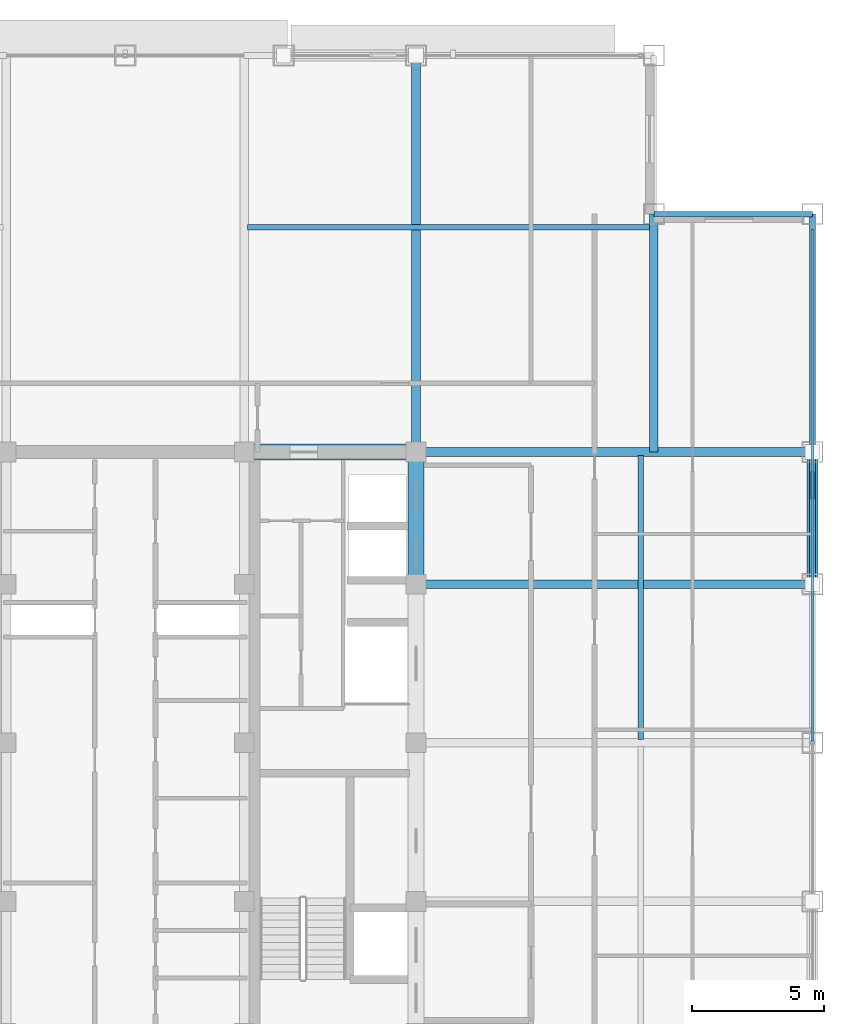
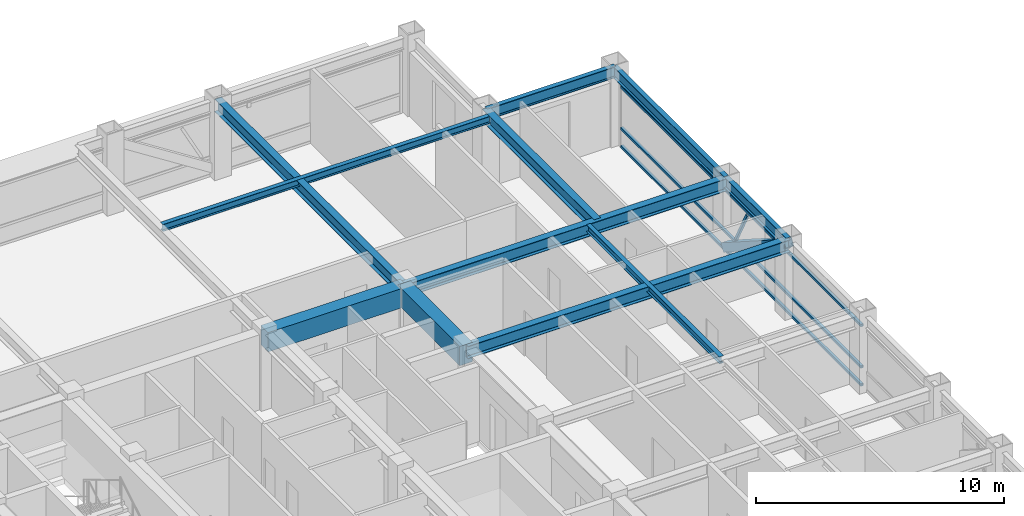
# One storey, part 19 of 32: 11 beams, 5 members, 1 element without a shape of its own.
"""IFC4 building model written with IfcOpenShell, lengths in metres."""

from ifc_helpers import new_model, si_unit, direction, frame, origin, origin_2d, place, context, subcontext, project, spatial, rectangle, hollow_rectangle, i_section, extrude, source, transform, mapped, material, material_profile, profile_set, type_object, element, aggregate, save


model = new_model("IFC4")

# Units and contexts
model_context = context("Model", 3, precision=1e-05, world=origin(), true_north=direction((0.0, 1.0)))
body_context = subcontext(model_context, "Body", "Model", "MODEL_VIEW")
ifc_project = project(units=[si_unit("LENGTHUNIT", "METRE"), si_unit("AREAUNIT", "SQUARE_METRE"), si_unit("VOLUMEUNIT", "CUBIC_METRE"), si_unit("PLANEANGLEUNIT", "RADIAN"), si_unit("MASSUNIT", "GRAM", prefix="KILO")], contexts=[model_context])

# Site, building, storey
site_placement = place(None, origin())
site = spatial("IfcSite", under=ifc_project, at=site_placement, CompositionType="ELEMENT")
building_placement = place(site_placement, origin())
building = spatial("IfcBuilding", under=site, at=building_placement, Name="Khorayat Bourse Tower", CompositionType="ELEMENT")
storey_placement = place(building_placement, frame((0.0, 0.0, 342.300048828125)))
storey = spatial("IfcBuildingStorey", under=building, at=storey_placement, Name="L81", CompositionType="ELEMENT", Elevation=342.300048828125)

# Beams
ifc_material_1 = material(Name="Concrete C60/75", Category="concrete")
ifc_material_profile_1 = material_profile(ifc_material_1, rectangle(XDim=0.60009765625, YDim=0.949951171875, at=origin_2d()), Name="RC 600x950")
ifc_profile_set_1 = profile_set([ifc_material_profile_1], Name="Concrete C60/75")
beam_type_1 = type_object("IfcBeamType", Name="BM-COUP-950", PredefinedType="BEAM", material=ifc_profile_set_1)
shared_shape_1 = source(origin(), body_context, "Body", "SweptSolid", [
    extrude(rectangle(XDim=0.60009765625, YDim=0.949951171875, at=origin_2d()), origin(), (0.0, 0.0, 1.0), 5.0),
])
beam_1_placement = place(storey_placement, frame((11.0, 6.0, 3.224853515625), z_axis=(0.0, 1.0, 0.0), x_axis=(-1.0, 0.0, 0.0)))
element("IfcBeam", 1, at=beam_1_placement, inside=storey, type_object=beam_type_1, Name="L81 BM-COUP-950 BM-L81-CRX-16", PredefinedType="BEAM", context=body_context, shape_type="MappedRepresentation", body=[
    mapped(shared_shape_1, transform((0.0, 0.0, 0.0), scale=1.0)),
])
shared_shape_2 = source(origin(), body_context, "Body", "SweptSolid", [
    extrude(rectangle(XDim=0.60009765625, YDim=0.949951171875, at=origin_2d()), origin(), (0.0, 0.0, 1.0), 6.5),
])
beam_2_placement = place(storey_placement, frame((4.5, 11.0, 3.224853515625), z_axis=(1.0, 0.0, 0.0), x_axis=(0.0, 1.0, 0.0)))
element("IfcBeam", 2, at=beam_2_placement, inside=storey, type_object=beam_type_1, Name="L81 BM-COUP-950 BM-L81-CRY-20", PredefinedType="BEAM", context=body_context, shape_type="MappedRepresentation", body=[
    mapped(shared_shape_2, transform((0.0, 0.0, 0.0), scale=1.0)),
])
ifc_material_2 = material(Name="Steel ASTM A992 Grade 50", Category="steel")
ifc_material_profile_2 = material_profile(ifc_material_2, i_section(OverallWidth=0.202880859375, OverallDepth=0.346923828125, WebThickness=0.0078125, FlangeThickness=0.013427734375, FilletRadius=0.010009765625, at=origin_2d()), Name="W360X64")
ifc_profile_set_2 = profile_set([ifc_material_profile_2], Name="Steel ASTM A992 Grade 50")
beam_type_2 = type_object("IfcBeamType", Name="BM-JOIST-360", PredefinedType="JOIST", material=ifc_profile_set_2)
shared_shape_3 = source(origin(), body_context, "Body", "SweptSolid", [
    extrude(i_section(OverallWidth=0.202880859375, OverallDepth=0.346923828125, WebThickness=0.0078125, FlangeThickness=0.013427734375, FilletRadius=0.010009765625, at=origin_2d()), origin(), (0.0, 0.0, 1.0), 10.740234375),
])
beam_3_placement = place(storey_placement, frame((19.5, 0.1298828125, 3.5263671875), z_axis=(0.0, 1.0, 0.0), x_axis=(-1.0, 0.0, 0.0)))
element("IfcBeam", 3, at=beam_3_placement, inside=storey, type_object=beam_type_2, Name="L81 BM-JOIST-360 BM-L81-JSTY-082", PredefinedType="JOIST", context=body_context, shape_type="MappedRepresentation", body=[
    mapped(shared_shape_3, transform((0.0, 0.0, 0.0), scale=1.0)),
])
ifc_material_profile_3 = material_profile(ifc_material_2, i_section(OverallWidth=0.214111328125, OverallDepth=0.549072265625, WebThickness=0.0146484375, FlangeThickness=0.023681640625, FilletRadius=0.013916015625, at=origin_2d()), Name="W530X138")
ifc_profile_set_3 = profile_set([ifc_material_profile_3], Name="Steel ASTM A992 Grade 50")
beam_type_3 = type_object("IfcBeamType", Name="BM-SPAN-530", PredefinedType="SPANDREL", material=ifc_profile_set_3)
shared_shape_4 = source(origin(), body_context, "Body", "SweptSolid", [
    extrude(i_section(OverallWidth=0.214111328125, OverallDepth=0.549072265625, WebThickness=0.0146484375, FlangeThickness=0.023681640625, FilletRadius=0.013916015625, at=origin_2d()), origin(), (0.0, 0.0, 1.0), 9.0),
])
beam_4_placement = place(storey_placement, frame((26.0, 11.0, 3.425537109375), z_axis=(0.0, 1.0, 0.0), x_axis=(-1.0, 0.0, 0.0)))
element("IfcBeam", 4, at=beam_4_placement, inside=storey, type_object=beam_type_3, Name="L81 BM-SPAN-530 BM-L81-SPN-034", PredefinedType="SPANDREL", context=body_context, shape_type="MappedRepresentation", body=[
    mapped(shared_shape_4, transform((0.0, 0.0, 0.0), scale=1.0)),
])
shared_shape_5 = source(origin(), body_context, "Body", "SweptSolid", [
    extrude(i_section(OverallWidth=0.214111328125, OverallDepth=0.549072265625, WebThickness=0.0146484375, FlangeThickness=0.023681640625, FilletRadius=0.013916015625, at=origin_2d()), origin(), (0.0, 0.0, 1.0), 5.0),
])
beam_5_placement = place(storey_placement, frame((26.0, 6.0, 3.425537109375), z_axis=(0.0, 1.0, 0.0), x_axis=(-1.0, 0.0, 0.0)))
element("IfcBeam", 5, at=beam_5_placement, inside=storey, type_object=beam_type_3, Name="L81 BM-SPAN-530 BM-L81-SPN-033", PredefinedType="SPANDREL", context=body_context, shape_type="MappedRepresentation", body=[
    mapped(shared_shape_5, transform((0.0, 0.0, 0.0), scale=1.0)),
])
shared_shape_6 = source(origin(), body_context, "Body", "SweptSolid", [
    extrude(i_section(OverallWidth=0.214111328125, OverallDepth=0.549072265625, WebThickness=0.0146484375, FlangeThickness=0.023681640625, FilletRadius=0.013916015625, at=origin_2d()), origin(), (0.0, 0.0, 1.0), 6.0),
])
beam_6_placement = place(storey_placement, frame((20.0, 20.0, 3.425537109375), z_axis=(1.0, 0.0, 0.0), x_axis=(0.0, 1.0, 0.0)))
element("IfcBeam", 6, at=beam_6_placement, inside=storey, type_object=beam_type_3, Name="L81 BM-SPAN-530 BM-L81-SPN-035", PredefinedType="SPANDREL", context=body_context, shape_type="MappedRepresentation", body=[
    mapped(shared_shape_6, transform((0.0, 0.0, 0.0), scale=1.0)),
])
ifc_material_profile_4 = material_profile(ifc_material_2, i_section(OverallWidth=0.324951171875, OverallDepth=0.615966796875, WebThickness=0.013916015625, FlangeThickness=0.021484375, FilletRadius=0.01611328125, at=origin_2d()), Name="W610X174")
ifc_profile_set_4 = profile_set([ifc_material_profile_4], Name="Steel ASTM A992 Grade 50")
beam_type_4 = type_object("IfcBeamType", Name="BM-GIRD-610", PredefinedType="BEAM", material=ifc_profile_set_4)
shared_shape_7 = source(origin(), body_context, "Body", "SweptSolid", [
    extrude(i_section(OverallWidth=0.324951171875, OverallDepth=0.615966796875, WebThickness=0.013916015625, FlangeThickness=0.021484375, FilletRadius=0.01611328125, at=origin_2d()), origin(), (0.0, 0.0, 1.0), 15.0),
])
for number, where, z_axis, x_axis, name in (
    (7, (11.0, 11.0, 3.391845703125), (0.0, 1.0, 0.0), (-1.0, 0.0, 0.0), "L81 BM-GIRD-610 BM-L81-RADY-059"),
    (8, (11.0, 6.0, 3.391845703125), (1.0, 0.0, 0.0), (0.0, 1.0, 0.0), "L81 BM-GIRD-610 BM-L81-RADX-067"),
    (9, (11.0, 11.0, 3.391845703125), (1.0, 0.0, 0.0), (0.0, 1.0, 0.0), "L81 BM-GIRD-610 BM-L81-RADX-069"),
):
    element("IfcBeam", number, at=place(storey_placement, frame(where, z_axis=z_axis, x_axis=x_axis)), inside=storey, type_object=beam_type_4, Name=name, PredefinedType="BEAM", context=body_context, shape_type="MappedRepresentation", body=[
        mapped(shared_shape_7, transform((0.0, 0.0, 0.0), scale=1.0)),
    ])
shared_shape_8 = source(origin(), body_context, "Body", "SweptSolid", [
    extrude(i_section(OverallWidth=0.324951171875, OverallDepth=0.615966796875, WebThickness=0.013916015625, FlangeThickness=0.021484375, FilletRadius=0.01611328125, at=origin_2d()), origin(), (0.0, 0.0, 1.0), 9.0),
])
beam_7_placement = place(storey_placement, frame((20.0, 11.0, 3.391845703125), z_axis=(0.0, 1.0, 0.0), x_axis=(-1.0, 0.0, 0.0)))
element("IfcBeam", 10, at=beam_7_placement, inside=storey, type_object=beam_type_4, Name="L81 BM-GIRD-610 BM-L81-CNRY-074", PredefinedType="BEAM", context=body_context, shape_type="MappedRepresentation", body=[
    mapped(shared_shape_8, transform((0.0, 0.0, 0.0), scale=1.0)),
])
shared_shape_9 = source(origin(), body_context, "Body", "SweptSolid", [
    extrude(i_section(OverallWidth=0.202880859375, OverallDepth=0.346923828125, WebThickness=0.0078125, FlangeThickness=0.013427734375, FilletRadius=0.010009765625, at=origin_2d()), origin(), (0.0, 0.0, 1.0), 15.240234375),
])
beam_8_placement = place(storey_placement, frame((4.6298828125, 19.5, 3.5263671875), z_axis=(1.0, 0.0, 0.0), x_axis=(0.0, 1.0, 0.0)))
element("IfcBeam", 11, at=beam_8_placement, inside=storey, type_object=beam_type_2, Name="L81 BM-JOIST-360 BM-L81-JSTX-078", PredefinedType="JOIST", context=body_context, shape_type="MappedRepresentation", body=[
    mapped(shared_shape_9, transform((0.0, 0.0, 0.0), scale=1.0)),
])

# Member
ifc_material_3 = material(Name="Steel EN 10025-4 S460M", Category="steel")
ifc_material_profile_5 = material_profile(ifc_material_3, hollow_rectangle(XDim=0.39990234375, YDim=0.39990234375, WallThickness=0.02197265625, at=origin_2d()), Name="HSS 400x400x22")
ifc_profile_set_5 = profile_set([ifc_material_profile_5], Name="Steel EN 10025-4 S460M")
member_type_1 = type_object("IfcMemberType", Name="MBR-TUBE-400", PredefinedType="BRACE", material=ifc_profile_set_5)
shared_shape_10 = source(origin(), body_context, "Body", "SweptSolid", [
    extrude(hollow_rectangle(XDim=0.39990234375, YDim=0.39990234375, WallThickness=0.02197265625, at=origin_2d()), origin(), (0.0, 0.0, 1.0), 5.936279296875),
])
member_1_placement = place(storey_placement, frame((26.0, 6.0, 3.449951171875), z_axis=(0.0, 0.84227513519, -0.539047861178), x_axis=(-1.0, 0.0, 0.0)))
element("IfcMember", 12, at=member_1_placement, inside=storey, type_object=member_type_1, Name="L81 Perimeter Tube Brace 08", PredefinedType="BRACE", context=body_context, shape_type="MappedRepresentation", body=[
    mapped(shared_shape_10, transform((0.0, 0.0, 0.0), scale=1.0)),
])

# Curtain wall, members
ifc_material_4 = material(Name="Aluminium EN AW-6063 T6", Category="aluminium")
curtain_wall_type = type_object("IfcCurtainWallType", Name="CW-SYS-04", PredefinedType="NOTDEFINED", material=ifc_material_4)
curtain_wall_placement = place(storey_placement, origin())
curtain_wall = element("IfcCurtainWall", 13, at=curtain_wall_placement, inside=storey, type_object=curtain_wall_type, Name="L81 Curtain Wall CW-L81-E1", PredefinedType="NOTDEFINED")
ifc_material_profile_6 = material_profile(ifc_material_4, hollow_rectangle(XDim=0.1201171875, YDim=0.1201171875, WallThickness=0.0048828125, at=origin_2d()), Name="ALU 120x120x5")
ifc_profile_set_6 = profile_set([ifc_material_profile_6], Name="Aluminium EN AW-6063 T6")
member_type_2 = type_object("IfcMemberType", Name="CWT-HORZ-120", PredefinedType="USERDEFINED", material=ifc_profile_set_6)
shared_shape_11 = source(origin(), body_context, "Body", "SweptSolid", [
    extrude(hollow_rectangle(XDim=0.1201171875, YDim=0.1201171875, WallThickness=0.0048828125, at=origin_2d()), origin(), (0.0, 0.0, 1.0), 19.369873046875),
])
member_2_placement = place(storey_placement, frame((26.0, 0.06005859375, 0.06005859375), z_axis=(0.0, 1.0, 0.0), x_axis=(-1.0, 0.0, 0.0)))
member_2 = element("IfcMember", 14, at=member_2_placement, type_object=member_type_2, Name="CW-L81-E1 Horizontal Transom 2-1", ObjectType="TRANSOM", PredefinedType="USERDEFINED", context=body_context, shape_type="MappedRepresentation", body=[
    mapped(shared_shape_11, transform((0.0, 0.0, 0.0), scale=1.0)),
])
member_3_placement = place(storey_placement, frame((26.0, 0.06005859375, 0.949951171875), z_axis=(0.0, 1.0, 0.0), x_axis=(-1.0, 0.0, 0.0)))
member_3 = element("IfcMember", 15, at=member_3_placement, type_object=member_type_2, Name="CW-L81-E1 Horizontal Transom 2-2", ObjectType="TRANSOM", PredefinedType="USERDEFINED", context=body_context, shape_type="MappedRepresentation", body=[
    mapped(shared_shape_11, transform((0.0, 0.0, 0.0), scale=1.0)),
])
member_4_placement = place(storey_placement, frame((26.0, 0.06005859375, 2.989990234375), z_axis=(0.0, 1.0, 0.0), x_axis=(-1.0, 0.0, 0.0)))
member_4 = element("IfcMember", 16, at=member_4_placement, type_object=member_type_2, Name="CW-L81-E1 Horizontal Transom 2-3", ObjectType="TRANSOM", PredefinedType="USERDEFINED", context=body_context, shape_type="MappedRepresentation", body=[
    mapped(shared_shape_11, transform((0.0, 0.0, 0.0), scale=1.0)),
])
ifc_material_profile_7 = material_profile(ifc_material_4, hollow_rectangle(XDim=0.1201171875, YDim=0.1201171875, WallThickness=0.0048828125, at=origin_2d()), Name="ALU 120x120x5")
ifc_profile_set_7 = profile_set([ifc_material_profile_7], Name="Aluminium EN AW-6063 T6")
member_type_3 = type_object("IfcMemberType", Name="CWM-DIAG-120", PredefinedType="MULLION", material=ifc_profile_set_7)
shared_shape_12 = source(origin(), body_context, "Body", "SweptSolid", [
    extrude(hollow_rectangle(XDim=0.1201171875, YDim=0.1201171875, WallThickness=0.0048828125, at=origin_2d()), origin(), (0.0, 0.0, 1.0), 1.989013671875),
])
member_5_placement = place(storey_placement, frame((26.0, 10.208251953125, 1.08984375), z_axis=(0.0, -0.46582231551, 0.884878279976), x_axis=(1.0, 0.0, 0.0)))
member_5 = element("IfcMember", 17, at=member_5_placement, type_object=member_type_3, Name="CW-L81-E1 Faceted Diagonal Mullion 2", PredefinedType="MULLION", context=body_context, shape_type="MappedRepresentation", body=[
    mapped(shared_shape_12, transform((0.0, 0.0, 0.0), scale=1.0)),
])
aggregate(curtain_wall, [member_2, member_3, member_4, member_5])

save(model, "model.ifc")
